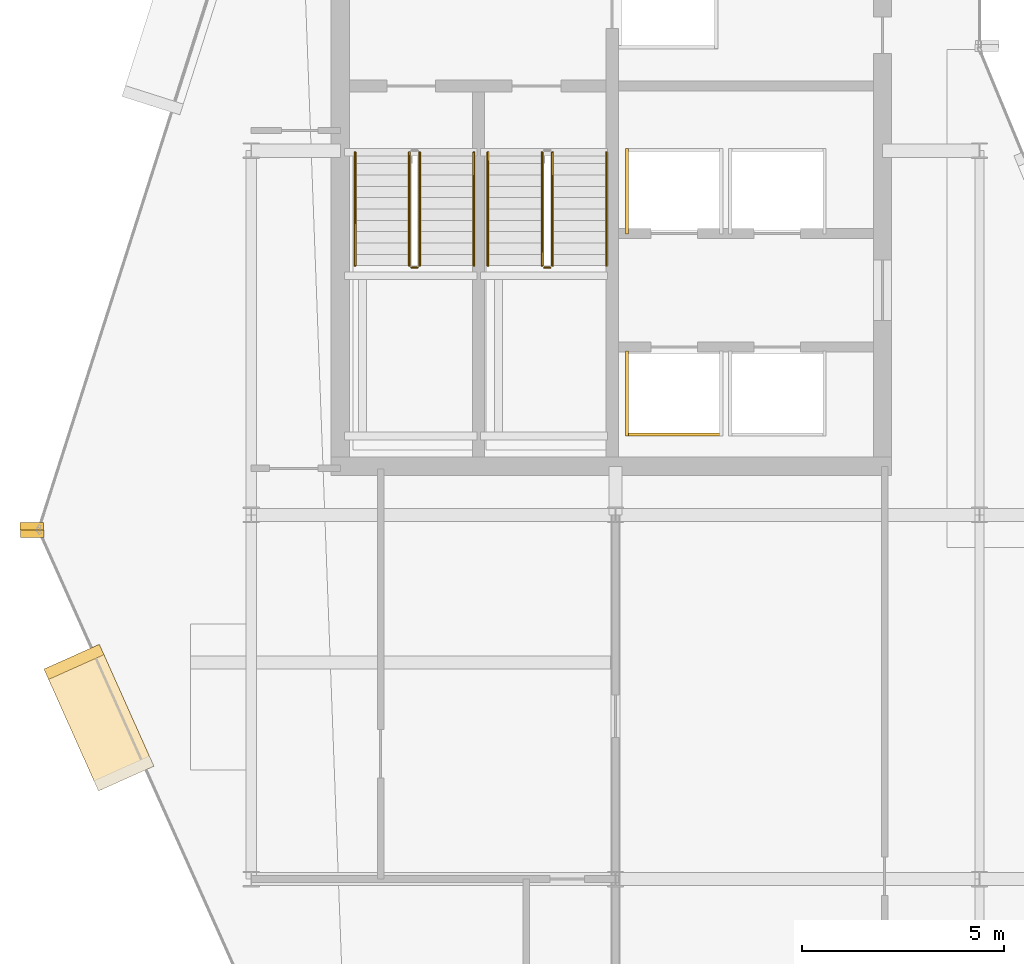
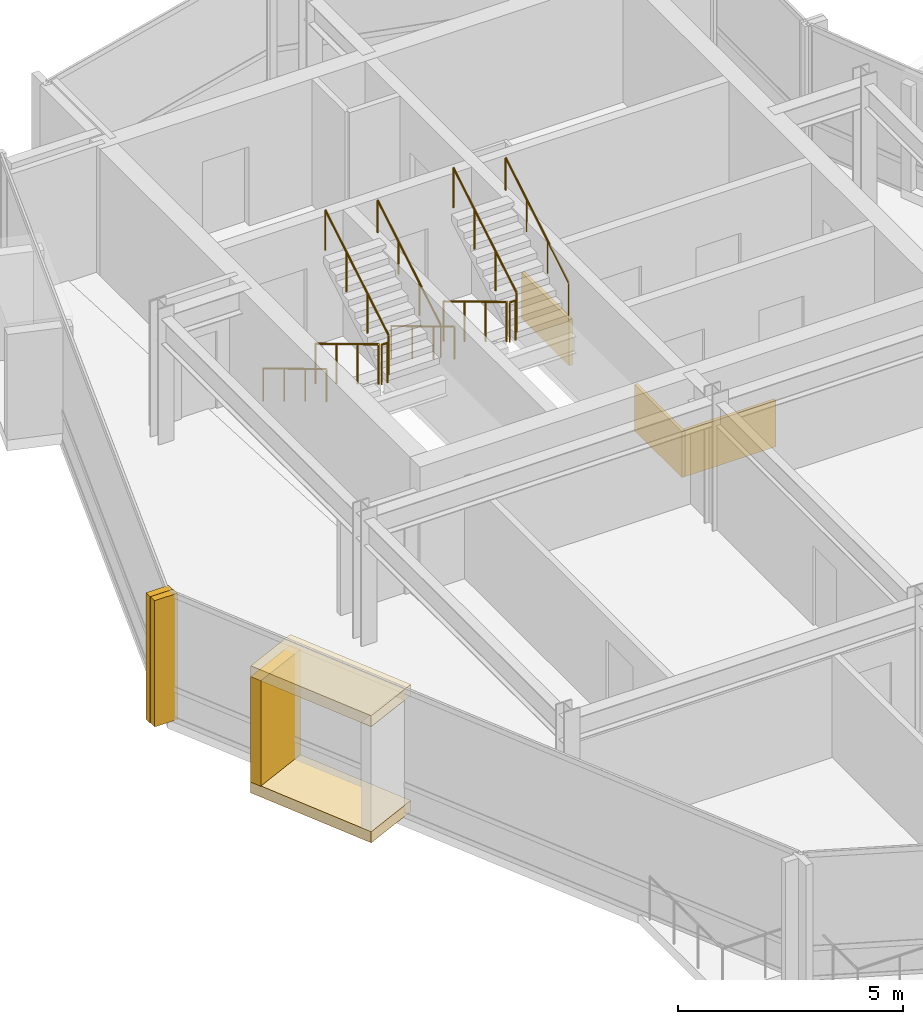
# One storey, part 17 of 19: 10 railings, 8 coverings.
"""IFC4 building model written with IfcOpenShell, lengths in metres."""

from ifc_helpers import new_model, si_unit, direction, frame, origin, origin_2d, place, context, subcontext, project, spatial, rectangle, circle, extrude, material, layer, layer_set, type_object, element, save


model = new_model("IFC4")

# Units and contexts
model_context = context("Model", 3, precision=1e-05, world=origin(), true_north=direction((0.0, 1.0)))
body_context = subcontext(model_context, "Body", "Model", "MODEL_VIEW")
ifc_project = project(units=[si_unit("LENGTHUNIT", "METRE"), si_unit("AREAUNIT", "SQUARE_METRE"), si_unit("VOLUMEUNIT", "CUBIC_METRE"), si_unit("PLANEANGLEUNIT", "RADIAN"), si_unit("MASSUNIT", "GRAM", prefix="KILO")], contexts=[model_context])

# Site, building, storey
site_placement = place(None, origin())
site = spatial("IfcSite", under=ifc_project, at=site_placement, CompositionType="ELEMENT")
building_placement = place(site_placement, origin())
building = spatial("IfcBuilding", under=site, at=building_placement, Name="Solvaryn Broadcast Tower", CompositionType="ELEMENT")
storey_placement = place(building_placement, frame((0.0, 0.0, 259.300048828125)))
storey = spatial("IfcBuildingStorey", under=building, at=storey_placement, Name="L65", CompositionType="ELEMENT", Elevation=259.300048828125)

# Coverings
ifc_material_1 = material(Name="Fire-Rated Gypsum Shaftwall Liner", Category="concrete")
ifc_layer_1 = layer(ifc_material_1, 0.080078125)
ifc_layer_set_1 = layer_set([ifc_layer_1], Name="CV-SHAFT-LINER")
covering_type_1 = type_object("IfcCoveringType", Name="CV-SHAFT-LINER", PredefinedType="CLADDING", material=ifc_layer_set_1)
covering_1_placement = place(storey_placement, frame((19.449951171875, 28.985107421875, 0.0), z_axis=(0.0, 0.0, 1.0), x_axis=(1.0, 0.0, 0.0)))
element("IfcCovering", 1, at=covering_1_placement, inside=storey, type_object=covering_type_1, Name="L65 PH1 Hoistway Shaft Liner South", PredefinedType="CLADDING", context=body_context, shape_type="SweptSolid", body=[
    extrude(rectangle(XDim=2.409912109375, YDim=0.080078125, at=origin_2d()), origin(), (0.0, 0.0, 1.0), 1.25),
])
for number, where, z_axis, x_axis, name in (
    (2, (18.284912109375, 30.0, 0.0), (0.0, 0.0, 1.0), (1.0, 0.0, 0.0), "L65 PH1 Hoistway Shaft Liner West"),
    (3, (18.284912109375, 35.0, 0.0), (0.0, 0.0, 1.0), (1.0, 0.0, 0.0), "L65 PH3 Hoistway Shaft Liner West"),
):
    element("IfcCovering", number, at=place(storey_placement, frame(where, z_axis=z_axis, x_axis=x_axis)), inside=storey, type_object=covering_type_1, Name=name, PredefinedType="CLADDING", context=body_context, shape_type="SweptSolid", body=[
        extrude(rectangle(XDim=0.080078125, YDim=2.110107421875, at=origin_2d()), origin(), (0.0, 0.0, 1.0), 1.25),
    ])
ifc_material_2 = material(Name="Glazed Architectural Terracotta Rainscreen Cladding", Category="masonry")
ifc_layer_2 = layer(ifc_material_2, 0.280029296875)
ifc_layer_set_2 = layer_set([ifc_layer_2], Name="CV-TC-CLAD")
covering_type_2 = type_object("IfcCoveringType", Name="CV-TC-CLAD", PredefinedType="CLADDING", material=ifc_layer_set_2)
for number, where, z_axis, x_axis, name in (
    (4, (5.236083984375, 21.989990234375, 3.1298828125), (0.0, 0.0, 1.0), (0.408489773781, -0.91276289622, 0.0), "L65 Projecting Stone Window Box Hood 2"),
    (5, (5.236083984375, 21.989990234375, -0.01025390625), (0.0, 0.0, 1.0), (0.408489773781, -0.91276289622, 0.0), "L65 Projecting Stone Window Box Sill 2"),
):
    element("IfcCovering", number, at=place(storey_placement, frame(where, z_axis=z_axis, x_axis=x_axis)), inside=storey, type_object=covering_type_2, Name=name, PredefinedType="CLADDING", context=body_context, shape_type="SweptSolid", body=[
        extrude(rectangle(XDim=3.300048828125, YDim=1.5, at=origin_2d()), origin(), (0.0, 0.0, 1.0), 0.300048828125),
    ])
covering_2_placement = place(storey_placement, frame((4.619140625, 23.368408203125, 0.27978515625), z_axis=(0.0, 0.0, 1.0), x_axis=(0.408489773781, -0.91276289622, 0.0)))
element("IfcCovering", 6, at=covering_2_placement, inside=storey, type_object=covering_type_2, Name="L65 Projecting Stone Window Box Cheek 2-1", PredefinedType="CLADDING", context=body_context, shape_type="SweptSolid", body=[
    extrude(rectangle(XDim=0.280029296875, YDim=1.5, at=origin_2d()), origin(), (0.0, 0.0, 1.0), 2.860107421875),
])
ifc_material_3 = material(Name="Extruded Architectural Terracotta Fin", Category="masonry")
ifc_layer_3 = layer(ifc_material_3, 0.179931640625)
ifc_layer_set_3 = layer_set([ifc_layer_3], Name="CV-TC-FIN")
covering_type_3 = type_object("IfcCoveringType", Name="CV-TC-FIN", PredefinedType="USERDEFINED", material=ifc_layer_set_3)
for number, where, z_axis, x_axis, name in (
    (7, (3.575439453125, 26.71923828125, 0.0), (0.0, 0.0, 1.0), (1.0, 0.0, 0.0), "L65 Terracotta Vertical Fin FIN-L65-DR1-M01"),
    (8, (3.5859375, 26.53515625, 0.0), (0.0, 0.0, 1.0), (1.0, 0.0, 0.0), "L65 Terracotta Vertical Fin FIN-L65-DR2-M00"),
):
    element("IfcCovering", number, at=place(storey_placement, frame(where, z_axis=z_axis, x_axis=x_axis)), inside=storey, type_object=covering_type_3, Name=name, ObjectType="FIN", PredefinedType="USERDEFINED", context=body_context, shape_type="SweptSolid", body=[
        extrude(rectangle(XDim=0.580078125, YDim=0.179931640625, at=origin_2d()), origin(), (0.0, 0.0, 1.0), 3.419921875),
    ])

# Railings
ifc_material_4 = material(Name="Painted Steel Stair Well Guard", Category="steel")
railing_type_1 = type_object("IfcRailingType", Name="RL-STAIR-GUARD", PredefinedType="BALUSTRADE", material=ifc_material_4)
railing_1_placement = place(storey_placement, frame((12.909912109375, 35.9599609375, 0.168212890625)))
element("IfcRailing", 9, at=railing_1_placement, inside=storey, type_object=railing_type_1, Name="L65 ST1 stair guard 1", PredefinedType="BALUSTRADE", context=body_context, shape_type="SweptSolid", body=[
    extrude(circle(Radius=0.02392578125, at=origin_2d()), frame((0.0, 0.0, 1.076171875), z_axis=(0.0, -0.857275202839, 0.514858452973), x_axis=(1.0, 0.0, 0.0)), (0.0, 0.0, 1.0), 3.26611328125),
    extrude(circle(Radius=0.02099609375, at=origin_2d()), origin(), (0.0, 0.0, 1.0), 1.052001953125),
    extrude(circle(Radius=0.02099609375, at=origin_2d()), frame((0.0, -0.933349609375, 0.560546875)), (0.0, 0.0, 1.0), 1.052001953125),
    extrude(circle(Radius=0.02099609375, at=origin_2d()), frame((0.0, -1.86669921875, 1.12109375)), (0.0, 0.0, 1.0), 1.052001953125),
    extrude(circle(Radius=0.02099609375, at=origin_2d()), frame((0.0, -2.800048828125, 1.681640625)), (0.0, 0.0, 1.0), 1.052001953125),
])
railing_2_placement = place(storey_placement, frame((12.9599609375, 33.110107421875, 1.849853515625)))
element("IfcRailing", 10, at=railing_2_placement, inside=storey, type_object=railing_type_1, Name="L65 ST1 stair guard 2", PredefinedType="BALUSTRADE", context=body_context, shape_type="SweptSolid", body=[
    extrude(circle(Radius=0.02392578125, at=origin_2d()), frame((0.0, 0.0, 1.076171875), z_axis=(1.0, 0.0, 0.0), x_axis=(0.0, 1.0, 0.0)), (0.0, 0.0, 1.0), 0.150146484375),
    extrude(circle(Radius=0.02099609375, at=origin_2d()), origin(), (0.0, 0.0, 1.0), 1.052001953125),
    extrude(circle(Radius=0.02099609375, at=origin_2d()), frame((0.150146484375, 0.0, 0.0)), (0.0, 0.0, 1.0), 1.052001953125),
])
railing_3_placement = place(storey_placement, frame((13.159912109375, 33.159912109375, 2.01806640625)))
element("IfcRailing", 11, at=railing_3_placement, inside=storey, type_object=railing_type_1, Name="L65 ST1 stair guard 3", PredefinedType="BALUSTRADE", context=body_context, shape_type="SweptSolid", body=[
    extrude(circle(Radius=0.02392578125, at=origin_2d()), frame((0.0, 0.0, 1.076171875), z_axis=(0.0, 0.857242210791, 0.514913383045), x_axis=(-1.0, 0.0, 0.0)), (0.0, 0.0, 1.0), 3.266357421875),
    extrude(circle(Radius=0.02099609375, at=origin_2d()), origin(), (0.0, 0.0, 1.0), 1.052001953125),
    extrude(circle(Radius=0.02099609375, at=origin_2d()), frame((0.0, 0.933349609375, 0.560546875)), (0.0, 0.0, 1.0), 1.052001953125),
    extrude(circle(Radius=0.02099609375, at=origin_2d()), frame((0.0, 1.86669921875, 1.121337890625)), (0.0, 0.0, 1.0), 1.052001953125),
    extrude(circle(Radius=0.02099609375, at=origin_2d()), frame((0.0, 2.800048828125, 1.681884765625)), (0.0, 0.0, 1.0), 1.052001953125),
])
railing_4_placement = place(storey_placement, frame((16.18994140625, 35.9599609375, 0.168212890625)))
element("IfcRailing", 12, at=railing_4_placement, inside=storey, type_object=railing_type_1, Name="L65 ST2 stair guard 1", PredefinedType="BALUSTRADE", context=body_context, shape_type="SweptSolid", body=[
    extrude(circle(Radius=0.02392578125, at=origin_2d()), frame((0.0, 0.0, 1.076171875), z_axis=(0.0, -0.857275202839, 0.514858452973), x_axis=(1.0, 0.0, 0.0)), (0.0, 0.0, 1.0), 3.26611328125),
    extrude(circle(Radius=0.02099609375, at=origin_2d()), origin(), (0.0, 0.0, 1.0), 1.052001953125),
    extrude(circle(Radius=0.02099609375, at=origin_2d()), frame((0.0, -0.933349609375, 0.560546875)), (0.0, 0.0, 1.0), 1.052001953125),
    extrude(circle(Radius=0.02099609375, at=origin_2d()), frame((0.0, -1.86669921875, 1.12109375)), (0.0, 0.0, 1.0), 1.052001953125),
    extrude(circle(Radius=0.02099609375, at=origin_2d()), frame((0.0, -2.800048828125, 1.681640625)), (0.0, 0.0, 1.0), 1.052001953125),
])
railing_5_placement = place(storey_placement, frame((16.239990234375, 33.110107421875, 1.849853515625)))
element("IfcRailing", 13, at=railing_5_placement, inside=storey, type_object=railing_type_1, Name="L65 ST2 stair guard 2", PredefinedType="BALUSTRADE", context=body_context, shape_type="SweptSolid", body=[
    extrude(circle(Radius=0.02392578125, at=origin_2d()), frame((0.0, 0.0, 1.076171875), z_axis=(1.0, 0.0, 0.0), x_axis=(0.0, 1.0, 0.0)), (0.0, 0.0, 1.0), 0.14990234375),
    extrude(circle(Radius=0.02099609375, at=origin_2d()), origin(), (0.0, 0.0, 1.0), 1.052001953125),
    extrude(circle(Radius=0.02099609375, at=origin_2d()), frame((0.14990234375, 0.0, 0.0)), (0.0, 0.0, 1.0), 1.052001953125),
])
railing_6_placement = place(storey_placement, frame((16.43994140625, 33.159912109375, 2.01806640625)))
element("IfcRailing", 14, at=railing_6_placement, inside=storey, type_object=railing_type_1, Name="L65 ST2 stair guard 3", PredefinedType="BALUSTRADE", context=body_context, shape_type="SweptSolid", body=[
    extrude(circle(Radius=0.02392578125, at=origin_2d()), frame((0.0, 0.0, 1.076171875), z_axis=(0.0, 0.857242210791, 0.514913383045), x_axis=(-1.0, 0.0, 0.0)), (0.0, 0.0, 1.0), 3.266357421875),
    extrude(circle(Radius=0.02099609375, at=origin_2d()), origin(), (0.0, 0.0, 1.0), 1.052001953125),
    extrude(circle(Radius=0.02099609375, at=origin_2d()), frame((0.0, 0.933349609375, 0.560546875)), (0.0, 0.0, 1.0), 1.052001953125),
    extrude(circle(Radius=0.02099609375, at=origin_2d()), frame((0.0, 1.86669921875, 1.121337890625)), (0.0, 0.0, 1.0), 1.052001953125),
    extrude(circle(Radius=0.02099609375, at=origin_2d()), frame((0.0, 2.800048828125, 1.681884765625)), (0.0, 0.0, 1.0), 1.052001953125),
])
ifc_material_5 = material(Name="Brushed Stainless Steel Tubular Handrail", Category="steel")
railing_type_2 = type_object("IfcRailingType", Name="RL-STAIR-HANDRAIL", PredefinedType="HANDRAIL", material=ifc_material_5)
railing_7_placement = place(storey_placement, frame((11.570068359375, 35.9599609375, 0.168212890625)))
element("IfcRailing", 15, at=railing_7_placement, inside=storey, type_object=railing_type_2, Name="L65 ST1 stair handrail 1", PredefinedType="HANDRAIL", context=body_context, shape_type="SweptSolid", body=[
    extrude(circle(Radius=0.02392578125, at=origin_2d()), frame((0.0, 0.0, 0.8759765625), z_axis=(0.0, -0.857275202839, 0.514858452973), x_axis=(1.0, 0.0, 0.0)), (0.0, 0.0, 1.0), 3.26611328125),
    extrude(circle(Radius=0.02099609375, at=origin_2d()), origin(), (0.0, 0.0, 1.0), 0.851806640625),
    extrude(circle(Radius=0.02099609375, at=origin_2d()), frame((0.0, -0.933349609375, 0.560546875)), (0.0, 0.0, 1.0), 0.851806640625),
    extrude(circle(Radius=0.02099609375, at=origin_2d()), frame((0.0, -1.86669921875, 1.12109375)), (0.0, 0.0, 1.0), 0.851806640625),
    extrude(circle(Radius=0.02099609375, at=origin_2d()), frame((0.0, -2.800048828125, 1.681640625)), (0.0, 0.0, 1.0), 0.851806640625),
])
railing_8_placement = place(storey_placement, frame((14.5, 33.159912109375, 2.01806640625)))
element("IfcRailing", 16, at=railing_8_placement, inside=storey, type_object=railing_type_2, Name="L65 ST1 stair handrail 2", PredefinedType="HANDRAIL", context=body_context, shape_type="SweptSolid", body=[
    extrude(circle(Radius=0.02392578125, at=origin_2d()), frame((0.0, 0.0, 0.8759765625), z_axis=(0.0, 0.857242210791, 0.514913383045), x_axis=(-1.0, 0.0, 0.0)), (0.0, 0.0, 1.0), 3.266357421875),
    extrude(circle(Radius=0.02099609375, at=origin_2d()), origin(), (0.0, 0.0, 1.0), 0.851806640625),
    extrude(circle(Radius=0.02099609375, at=origin_2d()), frame((0.0, 0.933349609375, 0.560546875)), (0.0, 0.0, 1.0), 0.851806640625),
    extrude(circle(Radius=0.02099609375, at=origin_2d()), frame((0.0, 1.86669921875, 1.121337890625)), (0.0, 0.0, 1.0), 0.851806640625),
    extrude(circle(Radius=0.02099609375, at=origin_2d()), frame((0.0, 2.800048828125, 1.681884765625)), (0.0, 0.0, 1.0), 0.851806640625),
])
railing_9_placement = place(storey_placement, frame((14.85009765625, 35.9599609375, 0.168212890625)))
element("IfcRailing", 17, at=railing_9_placement, inside=storey, type_object=railing_type_2, Name="L65 ST2 stair handrail 1", PredefinedType="HANDRAIL", context=body_context, shape_type="SweptSolid", body=[
    extrude(circle(Radius=0.02392578125, at=origin_2d()), frame((0.0, 0.0, 0.8759765625), z_axis=(0.0, -0.857275202839, 0.514858452973), x_axis=(1.0, 0.0, 0.0)), (0.0, 0.0, 1.0), 3.26611328125),
    extrude(circle(Radius=0.02099609375, at=origin_2d()), origin(), (0.0, 0.0, 1.0), 0.851806640625),
    extrude(circle(Radius=0.02099609375, at=origin_2d()), frame((0.0, -0.933349609375, 0.560546875)), (0.0, 0.0, 1.0), 0.851806640625),
    extrude(circle(Radius=0.02099609375, at=origin_2d()), frame((0.0, -1.86669921875, 1.12109375)), (0.0, 0.0, 1.0), 0.851806640625),
    extrude(circle(Radius=0.02099609375, at=origin_2d()), frame((0.0, -2.800048828125, 1.681640625)), (0.0, 0.0, 1.0), 0.851806640625),
])
railing_10_placement = place(storey_placement, frame((17.780029296875, 33.159912109375, 2.01806640625)))
element("IfcRailing", 18, at=railing_10_placement, inside=storey, type_object=railing_type_2, Name="L65 ST2 stair handrail 2", PredefinedType="HANDRAIL", context=body_context, shape_type="SweptSolid", body=[
    extrude(circle(Radius=0.02392578125, at=origin_2d()), frame((0.0, 0.0, 0.8759765625), z_axis=(0.0, 0.857242210791, 0.514913383045), x_axis=(-1.0, 0.0, 0.0)), (0.0, 0.0, 1.0), 3.266357421875),
    extrude(circle(Radius=0.02099609375, at=origin_2d()), origin(), (0.0, 0.0, 1.0), 0.851806640625),
    extrude(circle(Radius=0.02099609375, at=origin_2d()), frame((0.0, 0.933349609375, 0.560546875)), (0.0, 0.0, 1.0), 0.851806640625),
    extrude(circle(Radius=0.02099609375, at=origin_2d()), frame((0.0, 1.86669921875, 1.121337890625)), (0.0, 0.0, 1.0), 0.851806640625),
    extrude(circle(Radius=0.02099609375, at=origin_2d()), frame((0.0, 2.800048828125, 1.681884765625)), (0.0, 0.0, 1.0), 0.851806640625),
])

save(model, "model.ifc")
